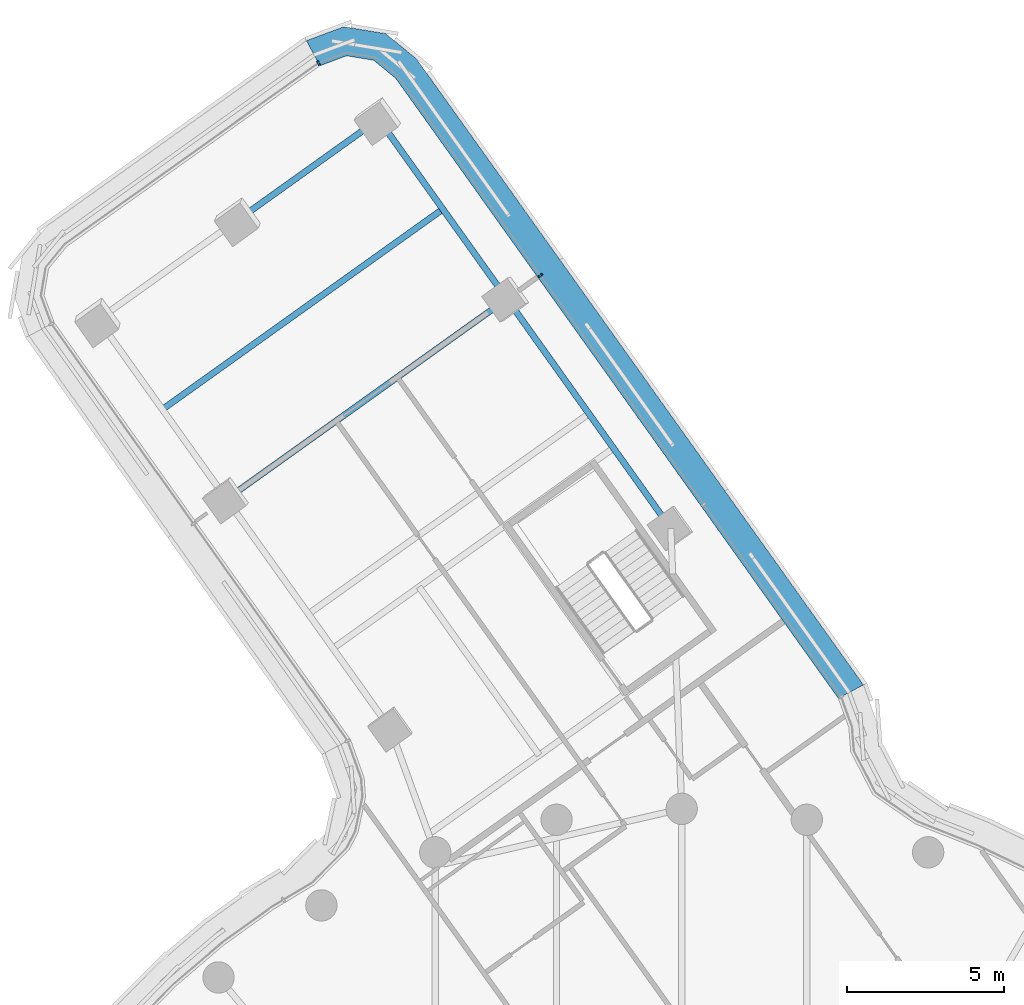
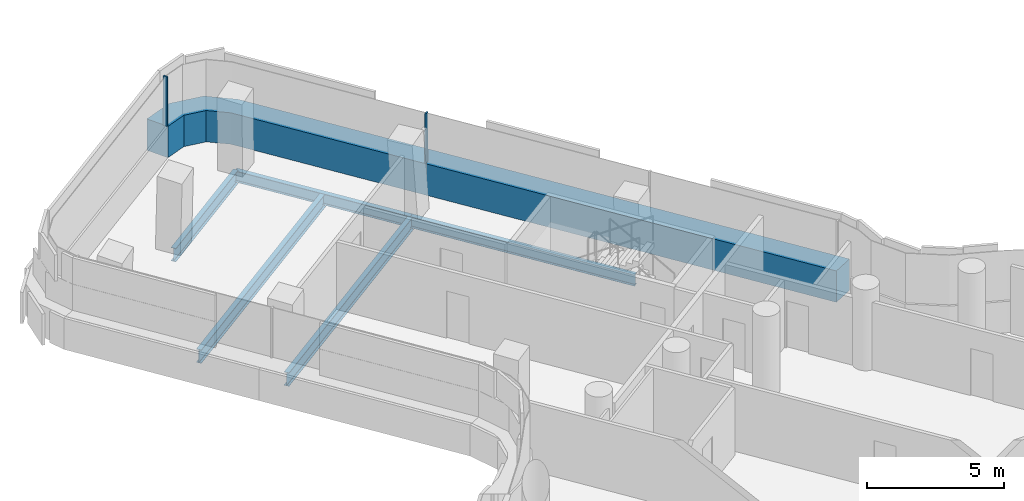
# One storey, part 15 of 31: 5 beams, 3 members, 2 elements without a shape of their own.
"""IFC4 building model written with IfcOpenShell, lengths in metres."""

from ifc_helpers import new_model, si_unit, direction, frame, origin, origin_2d, place, context, subcontext, project, spatial, polyline, rectangle, i_section, outline, extrude, material, layer, layer_set, material_profile, profile_set, type_object, element, aggregate, save


model = new_model("IFC4")

# Units and contexts
model_context = context("Model", 3, precision=1e-05, world=origin(), true_north=direction((0.0, 1.0)))
body_context = subcontext(model_context, "Body", "Model", "MODEL_VIEW")
ifc_project = project(units=[si_unit("LENGTHUNIT", "METRE"), si_unit("AREAUNIT", "SQUARE_METRE"), si_unit("VOLUMEUNIT", "CUBIC_METRE"), si_unit("PLANEANGLEUNIT", "RADIAN"), si_unit("MASSUNIT", "GRAM", prefix="KILO")], contexts=[model_context])

# Site, building, storey
site_placement = place(None, origin())
site = spatial("IfcSite", under=ifc_project, at=site_placement, CompositionType="ELEMENT")
building_placement = place(site_placement, origin())
building = spatial("IfcBuilding", under=site, at=building_placement, Name="Tamarind Cross Interchange Tower", CompositionType="ELEMENT")
storey_placement = place(building_placement, frame((0.0, 0.0, 163.0)))
storey = spatial("IfcBuildingStorey", under=building, at=storey_placement, Name="L40", CompositionType="ELEMENT", Elevation=163.0)

# Beams
ifc_material_1 = material(Name="Steel Q355B", Category="steel")
ifc_material_profile_1 = material_profile(ifc_material_1, i_section(OverallWidth=0.198974609375, OverallDepth=0.49609375, WebThickness=0.009033203125, FlangeThickness=0.013916015625, FilletRadius=0.012939453125, at=origin_2d()), Name="HN 496x199x9x14")
ifc_profile_set_1 = profile_set([ifc_material_profile_1], Name="Steel Q355B")
beam_type_1 = type_object("IfcBeamType", Name="Composite beam HN 496x199x9x14 Q355B", PredefinedType="BEAM", material=ifc_profile_set_1)
beam_1_placement = place(storey_placement, frame((-9.66845703125, 45.009033203125, -0.387939453125), z_axis=(0.581041469135, -0.813873952861, 0.0), x_axis=(0.813873952861, 0.581041469135, 0.0)))
element("IfcBeam", 1, at=beam_1_placement, inside=storey, type_object=beam_type_1, Name="Beam N-edgeem5", PredefinedType="BEAM", context=body_context, shape_type="SweptSolid", body=[
    extrude(i_section(OverallWidth=0.198974609375, OverallDepth=0.49609375, WebThickness=0.009033203125, FlangeThickness=0.013916015625, FilletRadius=0.012939453125, at=origin_2d()), origin(), (0.0, 0.0, 1.0), 7.044189453125),
])
beam_2_placement = place(storey_placement, frame((-5.575439453125, 39.27587890625, -0.387939453125), z_axis=(0.581027758722, -0.813883740834, 0.0), x_axis=(0.813883740834, 0.581027758722, 0.0)))
element("IfcBeam", 2, at=beam_2_placement, inside=storey, type_object=beam_type_1, Name="Beam N-edgeem6", PredefinedType="BEAM", context=body_context, shape_type="SweptSolid", body=[
    extrude(i_section(OverallWidth=0.198974609375, OverallDepth=0.49609375, WebThickness=0.009033203125, FlangeThickness=0.013916015625, FilletRadius=0.012939453125, at=origin_2d()), origin(), (0.0, 0.0, 1.0), 9.0),
])
ifc_material_profile_2 = material_profile(ifc_material_1, i_section(OverallWidth=0.199951171875, OverallDepth=0.60009765625, WebThickness=0.010986328125, FlangeThickness=0.01708984375, FilletRadius=0.012939453125, at=origin_2d()), Name="HN 600x200x11x17")
ifc_profile_set_2 = profile_set([ifc_material_profile_2], Name="Steel Q355B")
beam_type_2 = type_object("IfcBeamType", Name="Composite beam HN 600x200x11x17 Q355B", PredefinedType="BEAM", material=ifc_profile_set_2)
beam_3_placement = place(storey_placement, frame((-9.66845703125, 45.009033203125, -0.43994140625), z_axis=(-0.813889406538, -0.581019822317, 0.0), x_axis=(0.581019822317, -0.813889406538, 0.0)))
element("IfcBeam", 3, at=beam_3_placement, inside=storey, type_object=beam_type_2, Name="Beam N-tip0", PredefinedType="BEAM", context=body_context, shape_type="SweptSolid", body=[
    extrude(i_section(OverallWidth=0.199951171875, OverallDepth=0.60009765625, WebThickness=0.010986328125, FlangeThickness=0.01708984375, FilletRadius=0.012939453125, at=origin_2d()), origin(), (0.0, 0.0, 1.0), 5.5),
])
beam_4_placement = place(storey_placement, frame((-5.575439453125, 39.27587890625, -0.43994140625), z_axis=(-0.8138864036, -0.581024028793, 0.0), x_axis=(0.581024028793, -0.8138864036, 0.0)))
element("IfcBeam", 4, at=beam_4_placement, inside=storey, type_object=beam_type_2, Name="Beam N-x393", PredefinedType="BEAM", context=body_context, shape_type="SweptSolid", body=[
    extrude(i_section(OverallWidth=0.199951171875, OverallDepth=0.60009765625, WebThickness=0.010986328125, FlangeThickness=0.01708984375, FilletRadius=0.012939453125, at=origin_2d()), origin(), (0.0, 0.0, 1.0), 11.000244140625),
])
beam_5_placement = place(storey_placement, frame((-7.6220703125, 42.142333984375, -0.43994140625), z_axis=(-0.813878910855, -0.581034524332, 0.0), x_axis=(0.581034524332, -0.813878910855, 0.0)))
element("IfcBeam", 5, at=beam_5_placement, inside=storey, type_object=beam_type_2, Name="Beam N-x428", PredefinedType="BEAM", context=body_context, shape_type="SweptSolid", body=[
    extrude(i_section(OverallWidth=0.199951171875, OverallDepth=0.60009765625, WebThickness=0.010986328125, FlangeThickness=0.01708984375, FilletRadius=0.012939453125, at=origin_2d()), origin(), (0.0, 0.0, 1.0), 11.0),
])

# Curtain wall, members
ifc_material_2 = material(Name="Aluminium 6063-T6", Category="aluminium")
ifc_layer = layer(ifc_material_2, 0.159912109375)
ifc_layer_set = layer_set([ifc_layer], Name="Aluminium 6063-T6")
curtain_wall_type = type_object("IfcCurtainWallType", Name="Office curtain wall, 9.0 m bays", PredefinedType="NOTDEFINED", material=ifc_layer_set)
curtain_wall_1_placement = place(storey_placement, origin())
curtain_wall_1 = element("IfcCurtainWall", 6, at=curtain_wall_1_placement, inside=storey, type_object=curtain_wall_type, Name="CWS-L40-07", PredefinedType="NOTDEFINED")
ifc_material_3 = material(Name="Aluminium and insulated spandrel panel", Category="aluminium")
member_type_1 = type_object("IfcMemberType", Name="Floor-edge blade transom", PredefinedType="USERDEFINED", material=ifc_material_3)
member_1_placement = place(storey_placement, origin())
member_1 = element("IfcMember", 7, at=member_1_placement, type_object=member_type_1, Name="CWT-L40-07", ObjectType="TRANSOM", PredefinedType="USERDEFINED", context=body_context, shape_type="SweptSolid", body=[
    extrude(outline(polyline([(4.996826171875, 26.531982421875), (-9.12353515625, 46.31103515625), (-9.830078125, 46.89306640625), (-10.692626953125, 47.036865234375), (-11.550048828125, 46.716064453125), (-11.9765625, 47.517333984375), (-10.782470703125, 47.96435546875), (-9.444091796875, 47.740966796875), (-8.4599609375, 46.930419921875), (5.80078125, 26.95458984375), (4.996826171875, 26.531982421875)])), origin(), (0.0, 0.0, 1.0), 1.39990234375),
])
ifc_material_profile_3 = material_profile(ifc_material_2, rectangle(XDim=0.06005859375, YDim=0.159912109375, at=origin_2d()), Name="Mullion CW1")
ifc_profile_set_3 = profile_set([ifc_material_profile_3], Name="Aluminium 6063-T6")
member_type_2 = type_object("IfcMemberType", Name="Mullion CW1", PredefinedType="MULLION", material=ifc_profile_set_3)
member_2_placement = place(storey_placement, frame((-4.51220703125, 40.023681640625, 1.39990234375), z_axis=(0.0, 0.0, 1.0), x_axis=(-0.581032556811, 0.81388031548, 0.0)))
member_2 = element("IfcMember", 8, at=member_2_placement, type_object=member_type_2, Name="CWM-L40-07-02", PredefinedType="MULLION", context=body_context, shape_type="SweptSolid", body=[
    extrude(rectangle(XDim=0.06005859375, YDim=0.159912109375, at=origin_2d()), origin(), (0.0, 0.0, 1.0), 2.210205078125),
])
aggregate(curtain_wall_1, [member_2, member_1])

# Curtain wall, member
curtain_wall_2_placement = place(storey_placement, origin())
curtain_wall_2 = element("IfcCurtainWall", 9, at=curtain_wall_2_placement, inside=storey, type_object=curtain_wall_type, Name="CWS-L40-08", PredefinedType="NOTDEFINED")
member_3_placement = place(storey_placement, frame((-11.597412109375, 46.80517578125, 1.39990234375), z_axis=(0.0, 0.0, 1.0), x_axis=(-0.882757423753, -0.469829044238, 0.0)))
member_3 = element("IfcMember", 10, at=member_3_placement, type_object=member_type_2, Name="CWM-L40-08-00", PredefinedType="MULLION", context=body_context, shape_type="SweptSolid", body=[
    extrude(rectangle(XDim=0.06005859375, YDim=0.159912109375, at=origin_2d()), origin(), (0.0, 0.0, 1.0), 2.210205078125),
])
aggregate(curtain_wall_2, [member_3])

save(model, "model.ifc")
